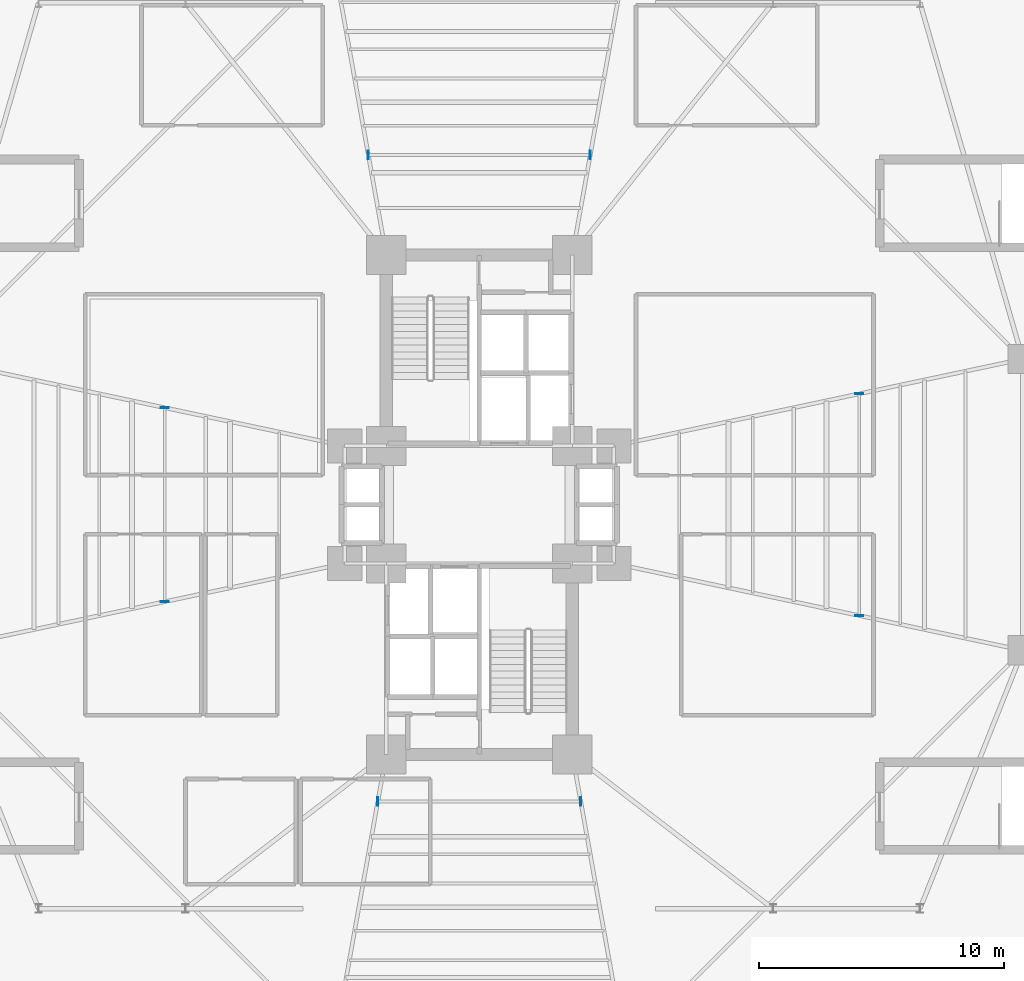
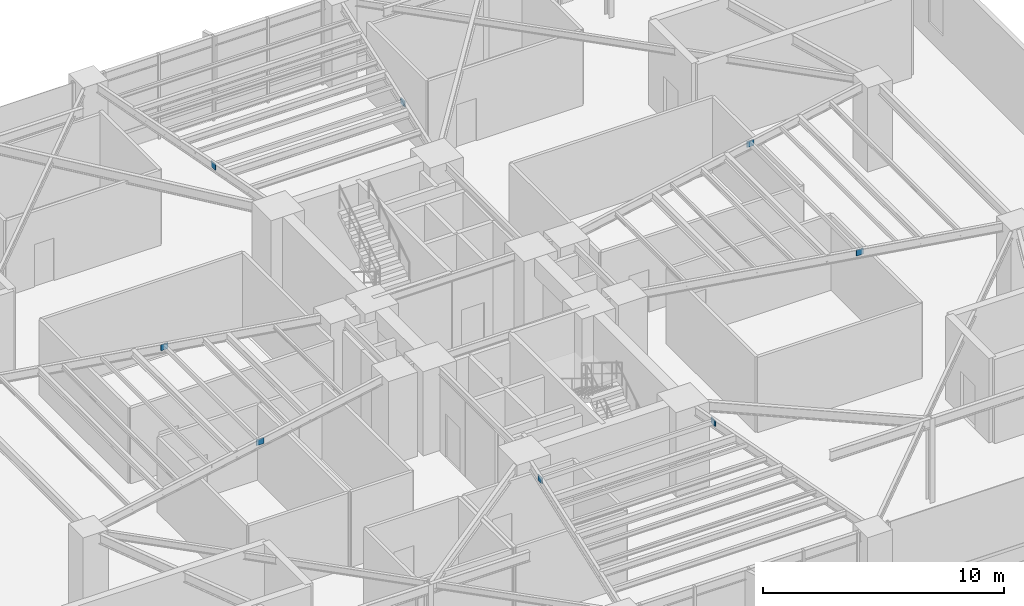
# One storey, part 20 of 26: 8 plates.
"""IFC4 building model written with IfcOpenShell, lengths in metres."""

from ifc_helpers import new_model, si_unit, direction, frame, origin, origin_2d, place, context, subcontext, project, spatial, rectangle, extrude, source, transform, mapped, material, type_object, element, save


model = new_model("IFC4")

# Units and contexts
model_context = context("Model", 3, precision=1e-05, world=origin(), true_north=direction((0.0, 1.0)))
body_context = subcontext(model_context, "Body", "Model", "MODEL_VIEW")
ifc_project = project(units=[si_unit("LENGTHUNIT", "METRE"), si_unit("AREAUNIT", "SQUARE_METRE"), si_unit("VOLUMEUNIT", "CUBIC_METRE"), si_unit("PLANEANGLEUNIT", "RADIAN"), si_unit("MASSUNIT", "GRAM", prefix="KILO")], contexts=[model_context])

# Site, building, storey
site_placement = place(None, origin())
site = spatial("IfcSite", under=ifc_project, at=site_placement, CompositionType="ELEMENT")
building_placement = place(site_placement, origin())
building = spatial("IfcBuilding", under=site, at=building_placement, Name="Sahyath Konkavel Grand Hotel", CompositionType="ELEMENT")
storey_placement = place(building_placement, frame((0.0, 0.0, 18.60009765625)))
storey = spatial("IfcBuildingStorey", under=building, at=storey_placement, Name="L04", CompositionType="ELEMENT", Elevation=18.60009765625)

# Plates
ifc_material = material(Name="Steel E450", Category="steel")
plate_type = type_object("IfcPlateType", Name="GUSSET-END-35", PredefinedType="USERDEFINED", material=ifc_material)
shared_shape = source(origin(), body_context, "Body", "SweptSolid", [
    extrude(rectangle(XDim=0.0400390625, YDim=0.340087890625, at=origin_2d()), origin(), (0.0, 0.0, 1.0), 0.300048828125),
])
for number, where, z_axis, x_axis, name in (
    (1, (15.52001953125, -4.530029296875, 3.93994140625), (0.0, 0.0, 1.0), (0.0, 1.0, 0.0), "L04 Sub-Beam E-4 End Cap A"),
    (2, (15.52001953125, 4.530029296875, 3.93994140625), (0.0, 0.0, 1.0), (0.0, 1.0, 0.0), "L04 Sub-Beam E-4 End Cap B"),
    (3, (-12.847900390625, 3.9619140625, 3.93994140625), (0.0, 0.0, 1.0), (0.0, -1.0, 0.0), "L04 Sub-Beam W-3 End Cap A"),
    (4, (-12.847900390625, -3.9619140625, 3.93994140625), (0.0, 0.0, 1.0), (0.0, -1.0, 0.0), "L04 Sub-Beam W-3 End Cap B"),
    (5, (4.531005859375, 14.280029296875, 3.93994140625), (0.0, 0.0, 1.0), (-1.0, 0.0, 0.0), "L04 Sub-Beam N-2 End Cap A"),
    (6, (-4.531005859375, 14.280029296875, 3.93994140625), (0.0, 0.0, 1.0), (-1.0, 0.0, 0.0), "L04 Sub-Beam N-2 End Cap B"),
    (7, (-4.14404296875, -12.1201171875, 3.93994140625), (0.0, 0.0, 1.0), (1.0, 0.0, 0.0), "L04 Sub-Beam S-1 End Cap A"),
    (8, (4.14404296875, -12.1201171875, 3.93994140625), (0.0, 0.0, 1.0), (1.0, 0.0, 0.0), "L04 Sub-Beam S-1 End Cap B"),
):
    element("IfcPlate", number, at=place(storey_placement, frame(where, z_axis=z_axis, x_axis=x_axis)), inside=storey, type_object=plate_type, Name=name, ObjectType="GUSSET_PLATE", PredefinedType="USERDEFINED", context=body_context, shape_type="MappedRepresentation", body=[
        mapped(shared_shape, transform((0.0, 0.0, 0.0), scale=1.0)),
    ])

save(model, "model.ifc")
